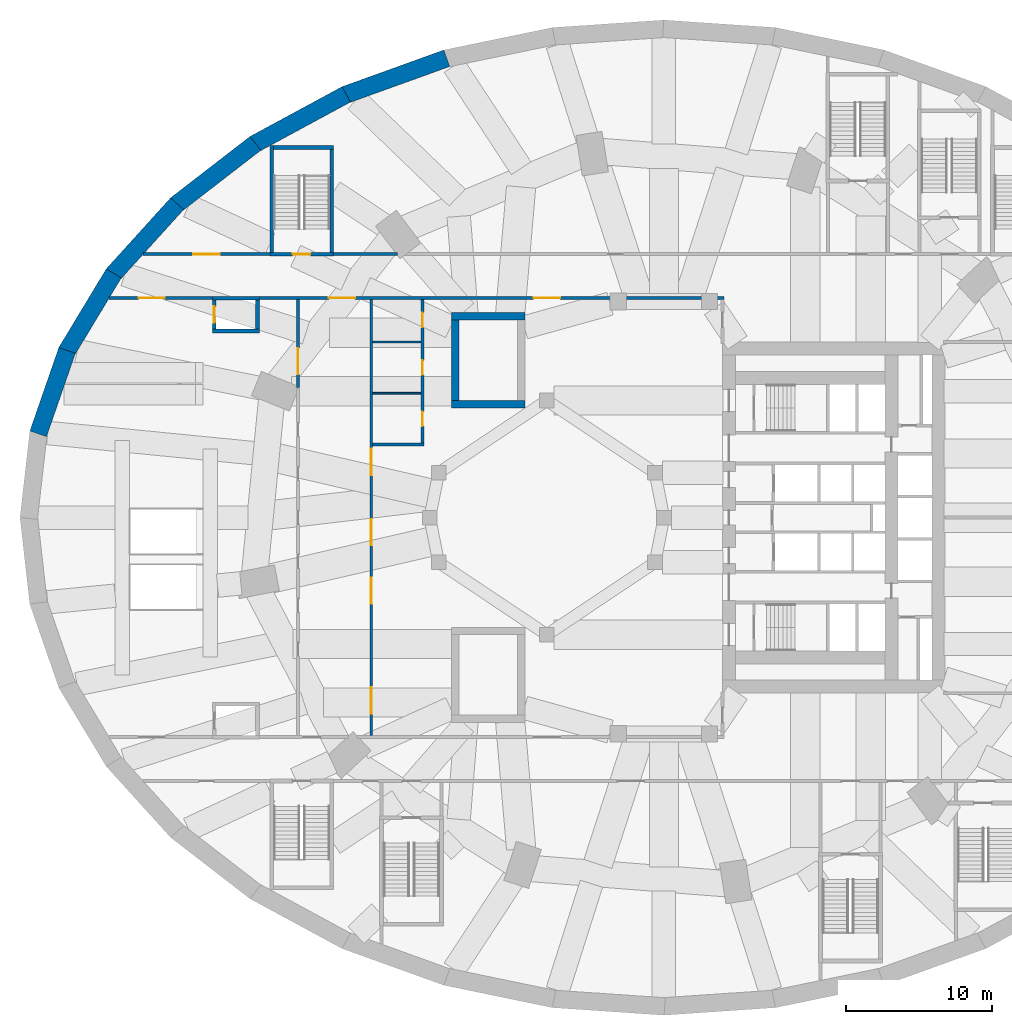
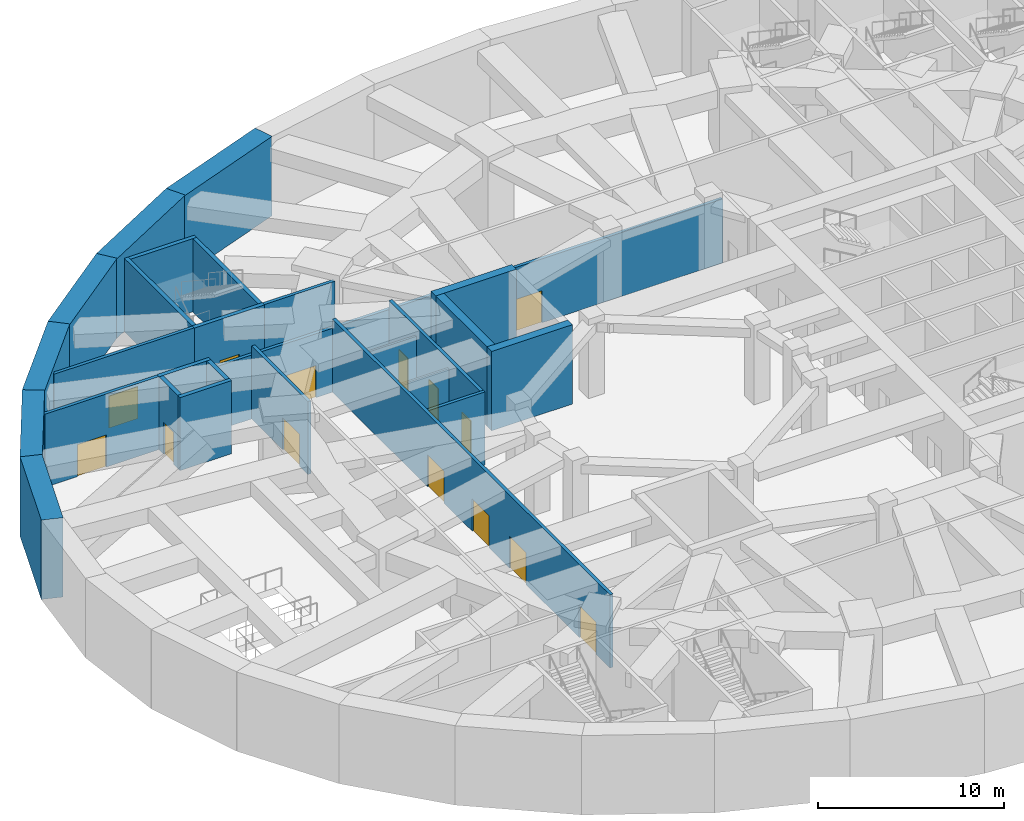
# One storey, part 6 of 14: 27 walls, 14 doors, 14 openings.
"""IFC4 building model written with IfcOpenShell, lengths in metres."""

from ifc_helpers import new_model, si_unit, direction, frame, frame_2d, origin, place, context, subcontext, project, spatial, rectangle, extrude, material, layer, layer_set, type_object, element, fill, save


model = new_model("IFC4")

# Units and contexts
model_context = context("Model", 3, precision=1e-05, world=origin(), true_north=direction((0.0, 1.0)))
body_context = subcontext(model_context, "Body", "Model", "MODEL_VIEW")
ifc_project = project(units=[si_unit("LENGTHUNIT", "METRE"), si_unit("AREAUNIT", "SQUARE_METRE"), si_unit("VOLUMEUNIT", "CUBIC_METRE"), si_unit("PLANEANGLEUNIT", "RADIAN"), si_unit("MASSUNIT", "GRAM", prefix="KILO")], contexts=[model_context])

# Site, building, storey
site_placement = place(None, origin())
site = spatial("IfcSite", under=ifc_project, at=site_placement, CompositionType="ELEMENT")
building_placement = place(site_placement, origin())
building = spatial("IfcBuilding", under=site, at=building_placement, Name="Taillehof Tower", CompositionType="ELEMENT")
storey_placement = place(building_placement, frame((0.0, 0.0, -5.199951171875)))
storey = spatial("IfcBuildingStorey", under=building, at=storey_placement, Name="B1", CompositionType="ELEMENT", Elevation=-5.199951171875)

# Wall
ifc_material_1 = material(Name="Calcium silicate blockwork", Category="masonry")
ifc_layer_1 = layer(ifc_material_1, 0.199951171875)
ifc_layer_set_1 = layer_set([ifc_layer_1], Name="Compartment wall EI 60 200 mm")
wall_type_1 = type_object("IfcWallType", Name="Compartment wall EI 60 200 mm", PredefinedType="PARTITIONING", material=ifc_layer_set_1)
wall_1_placement = place(storey_placement, frame((-19.89990234375, 5.0, 0.0), z_axis=(0.0, 0.0, 1.0), x_axis=(1.0, 0.0, 0.0)))
element("IfcWall", 1, at=wall_1_placement, inside=storey, type_object=wall_type_1, Name="Wall B1-13 / B1-16", PredefinedType="PARTITIONING", context=body_context, shape_type="SweptSolid", body=[
    extrude(rectangle(XDim=3.5, YDim=0.199951171875, at=frame_2d((1.75, 0.0))), origin(), (0.0, 0.0, 1.0), 4.7900390625),
])

# Wall, opening, door
wall_2_placement = place(storey_placement, frame((-37.914794921875, 15.0, 0.0), z_axis=(0.0, 0.0, 1.0), x_axis=(1.0, 0.0, 0.0)))
wall_2 = element("IfcWall", 2, at=wall_2_placement, inside=storey, type_object=wall_type_1, Name="Wall B1-15 / B1-17", PredefinedType="PARTITIONING", context=body_context, shape_type="SweptSolid", body=[
    extrude(rectangle(XDim=7.064697265625, YDim=0.199951171875, at=frame_2d((3.5322265625, 0.0))), origin(), (0.0, 0.0, 1.0), 4.7900390625),
])
opening_1_placement = place(wall_2_placement, frame((2.0146484375, 0.0, 0.0)))
opening_1 = element("IfcOpeningElement", 3, at=opening_1_placement, cuts=wall_2, Name="Opening DB176", PredefinedType="OPENING", context=body_context, shape_type="SweptSolid", body=[
    extrude(rectangle(XDim=1.800048828125, YDim=2.10009765625, at=frame_2d((0.89990234375, 1.050048828125))), frame((0.0, 0.10986328125, 0.0), z_axis=(0.0, -1.0, 0.0), x_axis=(1.0, 0.0, 0.0)), (0.0, 0.0, 1.0), 0.219970703125),
])
ifc_material_2 = material(Name="Hollow metal door set")
door_type_1 = type_object("IfcDoorType", Name="Double door 1800 x 2100 FD60S", OperationType="DOUBLE_DOOR_SINGLE_SWING", PredefinedType="DOOR", material=ifc_material_2)
door_1_placement = place(opening_1_placement, origin())
door_1 = element("IfcDoor", 4, at=door_1_placement, inside=storey, type_object=door_type_1, Name="Door DB176", OperationType="DOUBLE_DOOR_SINGLE_SWING", OverallHeight=2.10009765625, OverallWidth=1.800048828125, PredefinedType="DOOR", context=body_context, shape_type="SweptSolid", body=[
    extrude(rectangle(XDim=1.800048828125, YDim=2.10009765625, at=frame_2d((0.89990234375, 1.050048828125))), frame((0.0, 0.02490234375, 0.0), z_axis=(0.0, -1.0, 0.0), x_axis=(1.0, 0.0, 0.0)), (0.0, 0.0, 1.0), 0.050048828125),
])
fill(opening_1, door_1)

# Wall, openings, doors
wall_3_placement = place(storey_placement, frame((-27.64990234375, 15.0, 0.0), z_axis=(0.0, 0.0, 1.0), x_axis=(1.0, 0.0, 0.0)))
wall_3 = element("IfcWall", 5, at=wall_3_placement, inside=storey, type_object=wall_type_1, Name="Wall B1-15 / B1-17", PredefinedType="PARTITIONING", context=body_context, shape_type="SweptSolid", body=[
    extrude(rectangle(XDim=31.75, YDim=0.199951171875, at=frame_2d((15.875, 0.0))), origin(), (0.0, 0.0, 1.0), 4.18994140625),
])
opening_2_placement = place(wall_3_placement, frame((4.75, 0.0, 0.0)))
opening_2 = element("IfcOpeningElement", 6, at=opening_2_placement, cuts=wall_3, Name="Opening DB177", PredefinedType="OPENING", context=body_context, shape_type="SweptSolid", body=[
    extrude(rectangle(XDim=1.800048828125, YDim=2.10009765625, at=frame_2d((0.89990234375, 1.050048828125))), frame((0.0, 0.10986328125, 0.0), z_axis=(0.0, -1.0, 0.0), x_axis=(1.0, 0.0, 0.0)), (0.0, 0.0, 1.0), 0.219970703125),
])
opening_3_placement = place(wall_3_placement, frame((18.75, 0.0, 0.0)))
opening_3 = element("IfcOpeningElement", 7, at=opening_3_placement, cuts=wall_3, Name="Opening DB178", PredefinedType="OPENING", context=body_context, shape_type="SweptSolid", body=[
    extrude(rectangle(XDim=1.800048828125, YDim=2.10009765625, at=frame_2d((0.89990234375, 1.050048828125))), frame((0.0, 0.10986328125, 0.0), z_axis=(0.0, -1.0, 0.0), x_axis=(1.0, 0.0, 0.0)), (0.0, 0.0, 1.0), 0.219970703125),
])
door_2_placement = place(opening_2_placement, origin())
door_2 = element("IfcDoor", 8, at=door_2_placement, inside=storey, type_object=door_type_1, Name="Door DB177", OperationType="DOUBLE_DOOR_SINGLE_SWING", OverallHeight=2.10009765625, OverallWidth=1.800048828125, PredefinedType="DOOR", context=body_context, shape_type="SweptSolid", body=[
    extrude(rectangle(XDim=1.800048828125, YDim=2.10009765625, at=frame_2d((0.89990234375, 1.050048828125))), frame((0.0, 0.02490234375, 0.0), z_axis=(0.0, -1.0, 0.0), x_axis=(1.0, 0.0, 0.0)), (0.0, 0.0, 1.0), 0.050048828125),
])
fill(opening_2, door_2)
door_3_placement = place(opening_3_placement, origin())
door_3 = element("IfcDoor", 9, at=door_3_placement, inside=storey, type_object=door_type_1, Name="Door DB178", OperationType="DOUBLE_DOOR_SINGLE_SWING", OverallHeight=2.10009765625, OverallWidth=1.800048828125, PredefinedType="DOOR", context=body_context, shape_type="SweptSolid", body=[
    extrude(rectangle(XDim=1.800048828125, YDim=2.10009765625, at=frame_2d((0.89990234375, 1.050048828125))), frame((0.0, 0.02490234375, 0.0), z_axis=(0.0, -1.0, 0.0), x_axis=(1.0, 0.0, 0.0)), (0.0, 0.0, 1.0), 0.050048828125),
])
fill(opening_3, door_3)

# Wall, opening, door
wall_4_placement = place(storey_placement, frame((-35.60546875, 18.0, 0.0), z_axis=(0.0, 0.0, 1.0), x_axis=(1.0, 0.0, 0.0)))
wall_4 = element("IfcWall", 10, at=wall_4_placement, inside=storey, type_object=wall_type_1, Name="Wall B1-17 / B1-19", PredefinedType="PARTITIONING", context=body_context, shape_type="SweptSolid", body=[
    extrude(rectangle(XDim=8.680419921875, YDim=0.199951171875, at=frame_2d((4.34033203125, 0.0))), origin(), (0.0, 0.0, 1.0), 4.7900390625),
])
opening_4_placement = place(wall_4_placement, frame((3.4404296875, 0.0, 0.0)))
opening_4 = element("IfcOpeningElement", 11, at=opening_4_placement, cuts=wall_4, Name="Opening DB179", PredefinedType="OPENING", context=body_context, shape_type="SweptSolid", body=[
    extrude(rectangle(XDim=1.800048828125, YDim=2.10009765625, at=frame_2d((0.89990234375, 1.050048828125))), frame((0.0, 0.10986328125, 0.0), z_axis=(0.0, -1.0, 0.0), x_axis=(1.0, 0.0, 0.0)), (0.0, 0.0, 1.0), 0.219970703125),
])
door_4_placement = place(opening_4_placement, origin())
door_4 = element("IfcDoor", 12, at=door_4_placement, inside=storey, type_object=door_type_1, Name="Door DB179", OperationType="DOUBLE_DOOR_SINGLE_SWING", OverallHeight=2.10009765625, OverallWidth=1.800048828125, PredefinedType="DOOR", context=body_context, shape_type="SweptSolid", body=[
    extrude(rectangle(XDim=1.800048828125, YDim=2.10009765625, at=frame_2d((0.89990234375, 1.050048828125))), frame((0.0, 0.02490234375, 0.0), z_axis=(0.0, -1.0, 0.0), x_axis=(1.0, 0.0, 0.0)), (0.0, 0.0, 1.0), 0.050048828125),
])
fill(opening_4, door_4)

# Wall
wall_5_placement = place(storey_placement, frame((-22.574951171875, 18.0, 0.0), z_axis=(0.0, 0.0, 1.0), x_axis=(1.0, 0.0, 0.0)))
element("IfcWall", 13, at=wall_5_placement, inside=storey, type_object=wall_type_1, Name="Wall B1-17 / B1-20", PredefinedType="PARTITIONING", context=body_context, shape_type="SweptSolid", body=[
    extrude(rectangle(XDim=4.377685546875, YDim=0.199951171875, at=frame_2d((2.18896484375, 0.0))), origin(), (0.0, 0.0, 1.0), 4.7900390625),
])

# Wall, opening, door
wall_6_placement = place(storey_placement, frame((-25.0, 8.879638671875, 0.0), z_axis=(0.0, 0.0, 1.0), x_axis=(0.0, 1.0, 0.0)))
wall_6 = element("IfcWall", 14, at=wall_6_placement, inside=storey, type_object=wall_type_1, Name="Wall B1-14 / B1-15", PredefinedType="PARTITIONING", context=body_context, shape_type="SweptSolid", body=[
    extrude(rectangle(XDim=6.020263671875, YDim=0.199951171875, at=frame_2d((3.01025390625, 0.0))), origin(), (0.0, 0.0, 1.0), 4.7900390625),
])
opening_5_placement = place(wall_6_placement, frame((0.900390625, 0.0, 0.0)))
opening_5 = element("IfcOpeningElement", 15, at=opening_5_placement, cuts=wall_6, Name="Opening DB171", PredefinedType="OPENING", context=body_context, shape_type="SweptSolid", body=[
    extrude(rectangle(XDim=1.800048828125, YDim=2.10009765625, at=frame_2d((0.89990234375, 1.050048828125))), frame((0.0, 0.10986328125, 0.0), z_axis=(0.0, -1.0, 0.0), x_axis=(1.0, 0.0, 0.0)), (0.0, 0.0, 1.0), 0.219970703125),
])
door_5_placement = place(opening_5_placement, origin())
door_5 = element("IfcDoor", 16, at=door_5_placement, inside=storey, type_object=door_type_1, Name="Door DB171", OperationType="DOUBLE_DOOR_SINGLE_SWING", OverallHeight=2.10009765625, OverallWidth=1.800048828125, PredefinedType="DOOR", context=body_context, shape_type="SweptSolid", body=[
    extrude(rectangle(XDim=1.800048828125, YDim=2.10009765625, at=frame_2d((0.89990234375, 1.050048828125))), frame((0.0, 0.02490234375, 0.0), z_axis=(0.0, -1.0, 0.0), x_axis=(1.0, 0.0, 0.0)), (0.0, 0.0, 1.0), 0.050048828125),
])
fill(opening_5, door_5)

# Wall, openings, doors
wall_7_placement = place(storey_placement, frame((-20.0, -14.89990234375, 0.0), z_axis=(0.0, 0.0, 1.0), x_axis=(0.0, 1.0, 0.0)))
wall_7 = element("IfcWall", 17, at=wall_7_placement, inside=storey, type_object=wall_type_1, Name="Wall B1-14 / B1-16", PredefinedType="PARTITIONING", context=body_context, shape_type="SweptSolid", body=[
    extrude(rectangle(XDim=29.7998046875, YDim=0.199951171875, at=frame_2d((14.89990234375, 0.0))), origin(), (0.0, 0.0, 1.0), 4.7900390625),
])
opening_6_placement = place(wall_7_placement, frame((1.5, 0.0, 0.0)))
opening_6 = element("IfcOpeningElement", 18, at=opening_6_placement, cuts=wall_7, Name="Opening DB158", PredefinedType="OPENING", context=body_context, shape_type="SweptSolid", body=[
    extrude(rectangle(XDim=1.800048828125, YDim=2.10009765625, at=frame_2d((0.89990234375, 1.050048828125))), frame((0.0, 0.10986328125, 0.0), z_axis=(0.0, -1.0, 0.0), x_axis=(1.0, 0.0, 0.0)), (0.0, 0.0, 1.0), 0.219970703125),
])
opening_7_placement = place(wall_7_placement, frame((9.0, 0.0, 0.0)))
opening_7 = element("IfcOpeningElement", 19, at=opening_7_placement, cuts=wall_7, Name="Opening DB162", PredefinedType="OPENING", context=body_context, shape_type="SweptSolid", body=[
    extrude(rectangle(XDim=1.800048828125, YDim=2.10009765625, at=frame_2d((0.89990234375, 1.050048828125))), frame((0.0, 0.10986328125, 0.0), z_axis=(0.0, -1.0, 0.0), x_axis=(1.0, 0.0, 0.0)), (0.0, 0.0, 1.0), 0.219970703125),
])
opening_8_placement = place(wall_7_placement, frame((13.0, 0.0, 0.0)))
opening_8 = element("IfcOpeningElement", 20, at=opening_8_placement, cuts=wall_7, Name="Opening DB164", PredefinedType="OPENING", context=body_context, shape_type="SweptSolid", body=[
    extrude(rectangle(XDim=1.800048828125, YDim=2.10009765625, at=frame_2d((0.89990234375, 1.050048828125))), frame((0.0, 0.10986328125, 0.0), z_axis=(0.0, -1.0, 0.0), x_axis=(1.0, 0.0, 0.0)), (0.0, 0.0, 1.0), 0.219970703125),
])
opening_9_placement = place(wall_7_placement, frame((17.800048828125, 0.0, 0.0)))
opening_9 = element("IfcOpeningElement", 21, at=opening_9_placement, cuts=wall_7, Name="Opening DB167", PredefinedType="OPENING", context=body_context, shape_type="SweptSolid", body=[
    extrude(rectangle(XDim=1.800048828125, YDim=2.10009765625, at=frame_2d((0.89990234375, 1.050048828125))), frame((0.0, 0.10986328125, 0.0), z_axis=(0.0, -1.0, 0.0), x_axis=(1.0, 0.0, 0.0)), (0.0, 0.0, 1.0), 0.219970703125),
])
door_6_placement = place(opening_6_placement, origin())
door_6 = element("IfcDoor", 22, at=door_6_placement, inside=storey, type_object=door_type_1, Name="Door DB158", OperationType="DOUBLE_DOOR_SINGLE_SWING", OverallHeight=2.10009765625, OverallWidth=1.800048828125, PredefinedType="DOOR", context=body_context, shape_type="SweptSolid", body=[
    extrude(rectangle(XDim=1.800048828125, YDim=2.10009765625, at=frame_2d((0.89990234375, 1.050048828125))), frame((0.0, 0.02490234375, 0.0), z_axis=(0.0, -1.0, 0.0), x_axis=(1.0, 0.0, 0.0)), (0.0, 0.0, 1.0), 0.050048828125),
])
fill(opening_6, door_6)
door_7_placement = place(opening_7_placement, origin())
door_7 = element("IfcDoor", 23, at=door_7_placement, inside=storey, type_object=door_type_1, Name="Door DB162", OperationType="DOUBLE_DOOR_SINGLE_SWING", OverallHeight=2.10009765625, OverallWidth=1.800048828125, PredefinedType="DOOR", context=body_context, shape_type="SweptSolid", body=[
    extrude(rectangle(XDim=1.800048828125, YDim=2.10009765625, at=frame_2d((0.89990234375, 1.050048828125))), frame((0.0, 0.02490234375, 0.0), z_axis=(0.0, -1.0, 0.0), x_axis=(1.0, 0.0, 0.0)), (0.0, 0.0, 1.0), 0.050048828125),
])
fill(opening_7, door_7)
door_8_placement = place(opening_8_placement, origin())
door_8 = element("IfcDoor", 24, at=door_8_placement, inside=storey, type_object=door_type_1, Name="Door DB164", OperationType="DOUBLE_DOOR_SINGLE_SWING", OverallHeight=2.10009765625, OverallWidth=1.800048828125, PredefinedType="DOOR", context=body_context, shape_type="SweptSolid", body=[
    extrude(rectangle(XDim=1.800048828125, YDim=2.10009765625, at=frame_2d((0.89990234375, 1.050048828125))), frame((0.0, 0.02490234375, 0.0), z_axis=(0.0, -1.0, 0.0), x_axis=(1.0, 0.0, 0.0)), (0.0, 0.0, 1.0), 0.050048828125),
])
fill(opening_8, door_8)
door_9_placement = place(opening_9_placement, origin())
door_9 = element("IfcDoor", 25, at=door_9_placement, inside=storey, type_object=door_type_1, Name="Door DB167", OperationType="DOUBLE_DOOR_SINGLE_SWING", OverallHeight=2.10009765625, OverallWidth=1.800048828125, PredefinedType="DOOR", context=body_context, shape_type="SweptSolid", body=[
    extrude(rectangle(XDim=1.800048828125, YDim=2.10009765625, at=frame_2d((0.89990234375, 1.050048828125))), frame((0.0, 0.02490234375, 0.0), z_axis=(0.0, -1.0, 0.0), x_axis=(1.0, 0.0, 0.0)), (0.0, 0.0, 1.0), 0.050048828125),
])
fill(opening_9, door_9)

wall_8_placement = place(storey_placement, frame((-16.5, 5.10009765625, 0.0), z_axis=(0.0, 0.0, 1.0), x_axis=(0.0, 1.0, 0.0)))
wall_8 = element("IfcWall", 26, at=wall_8_placement, inside=storey, type_object=wall_type_1, Name="Wall B1-13 / B1-16", PredefinedType="PARTITIONING", context=body_context, shape_type="SweptSolid", body=[
    extrude(rectangle(XDim=9.7998046875, YDim=0.199951171875, at=frame_2d((4.89990234375, 0.0))), origin(), (0.0, 0.0, 1.0), 4.7900390625),
])
opening_10_placement = place(wall_8_placement, frame((7.89990234375, 0.0, 0.0)))
opening_10 = element("IfcOpeningElement", 27, at=opening_10_placement, cuts=wall_8, Name="Opening DB173", PredefinedType="OPENING", context=body_context, shape_type="SweptSolid", body=[
    extrude(rectangle(XDim=1.0, YDim=2.10009765625, at=frame_2d((0.5, 1.050048828125))), frame((0.0, 0.10986328125, 0.0), z_axis=(0.0, -1.0, 0.0), x_axis=(1.0, 0.0, 0.0)), (0.0, 0.0, 1.0), 0.219970703125),
])
opening_11_placement = place(wall_8_placement, frame((4.64990234375, 0.0, 0.0)))
opening_11 = element("IfcOpeningElement", 28, at=opening_11_placement, cuts=wall_8, Name="Opening DB170", PredefinedType="OPENING", context=body_context, shape_type="SweptSolid", body=[
    extrude(rectangle(XDim=1.0, YDim=2.10009765625, at=frame_2d((0.5, 1.050048828125))), frame((0.0, 0.10986328125, 0.0), z_axis=(0.0, -1.0, 0.0), x_axis=(1.0, 0.0, 0.0)), (0.0, 0.0, 1.0), 0.219970703125),
])
opening_12_placement = place(wall_8_placement, frame((1.14990234375, 0.0, 0.0)))
opening_12 = element("IfcOpeningElement", 29, at=opening_12_placement, cuts=wall_8, Name="Opening DB169", PredefinedType="OPENING", context=body_context, shape_type="SweptSolid", body=[
    extrude(rectangle(XDim=1.0, YDim=2.10009765625, at=frame_2d((0.5, 1.050048828125))), frame((0.0, 0.10986328125, 0.0), z_axis=(0.0, -1.0, 0.0), x_axis=(1.0, 0.0, 0.0)), (0.0, 0.0, 1.0), 0.219970703125),
])
ifc_material_3 = material(Name="Hollow metal door set")
door_type_2 = type_object("IfcDoorType", Name="Single door 1000 x 2100 FD60S", OperationType="SINGLE_SWING_LEFT", PredefinedType="DOOR", material=ifc_material_3)
door_10_placement = place(opening_10_placement, origin())
door_10 = element("IfcDoor", 30, at=door_10_placement, inside=storey, type_object=door_type_2, Name="Door DB173", OperationType="SINGLE_SWING_LEFT", OverallHeight=2.10009765625, OverallWidth=1.0, PredefinedType="DOOR", context=body_context, shape_type="SweptSolid", body=[
    extrude(rectangle(XDim=1.0, YDim=2.10009765625, at=frame_2d((0.5, 1.050048828125))), frame((0.0, 0.02490234375, 0.0), z_axis=(0.0, -1.0, 0.0), x_axis=(1.0, 0.0, 0.0)), (0.0, 0.0, 1.0), 0.050048828125),
])
fill(opening_10, door_10)
door_11_placement = place(opening_11_placement, origin())
door_11 = element("IfcDoor", 31, at=door_11_placement, inside=storey, type_object=door_type_2, Name="Door DB170", OperationType="SINGLE_SWING_LEFT", OverallHeight=2.10009765625, OverallWidth=1.0, PredefinedType="DOOR", context=body_context, shape_type="SweptSolid", body=[
    extrude(rectangle(XDim=1.0, YDim=2.10009765625, at=frame_2d((0.5, 1.050048828125))), frame((0.0, 0.02490234375, 0.0), z_axis=(0.0, -1.0, 0.0), x_axis=(1.0, 0.0, 0.0)), (0.0, 0.0, 1.0), 0.050048828125),
])
fill(opening_11, door_11)
door_12_placement = place(opening_12_placement, origin())
door_12 = element("IfcDoor", 32, at=door_12_placement, inside=storey, type_object=door_type_2, Name="Door DB169", OperationType="SINGLE_SWING_RIGHT", OverallHeight=2.10009765625, OverallWidth=1.0, PredefinedType="DOOR", context=body_context, shape_type="SweptSolid", body=[
    extrude(rectangle(XDim=1.0, YDim=2.10009765625, at=frame_2d((0.5, 1.050048828125))), frame((0.0, 0.02490234375, 0.0), z_axis=(0.0, -1.0, 0.0), x_axis=(1.0, 0.0, 0.0)), (0.0, 0.0, 1.0), 0.050048828125),
])
fill(opening_12, door_12)

# Walls
ifc_material_4 = material(Name="Concrete C35/45", Category="concrete")
ifc_layer_2 = layer(ifc_material_4, 1.199951171875)
ifc_layer_set_2 = layer_set([ifc_layer_2], Name="Diaphragm wall 1200")
wall_type_2 = type_object("IfcWallType", Name="Diaphragm wall 1200", PredefinedType="USERDEFINED", material=ifc_layer_set_2)
wall_9_placement = place(storey_placement, frame((-14.836181640625, 31.388427734375, 0.0), z_axis=(0.0, 0.0, 1.0), x_axis=(-0.940789454531, -0.338991448628, 0.0)))
element("IfcWall", 33, at=wall_9_placement, inside=storey, type_object=wall_type_2, Name="Diaphragm wall DW12", ObjectType="Retaining wall", PredefinedType="USERDEFINED", context=body_context, shape_type="SweptSolid", body=[
    extrude(rectangle(XDim=7.40576171875, YDim=1.199951171875, at=frame_2d((3.702880859375, 0.0))), origin(), (0.0, 0.0, 1.0), 5.199951171875),
])
wall_10_placement = place(storey_placement, frame((-21.7080078125, 28.920654296875, 0.0), z_axis=(0.0, 0.0, 1.0), x_axis=(-0.879519330959, -0.475863159394, 0.0)))
element("IfcWall", 34, at=wall_10_placement, inside=storey, type_object=wall_type_2, Name="Diaphragm wall DW13", ObjectType="Retaining wall", PredefinedType="USERDEFINED", context=body_context, shape_type="SweptSolid", body=[
    extrude(rectangle(XDim=7.154541015625, YDim=1.199951171875, at=frame_2d((3.5771484375, 0.0))), origin(), (0.0, 0.0, 1.0), 5.199951171875),
])
wall_11_placement = place(storey_placement, frame((-27.912841796875, 25.572998046875, 0.0), z_axis=(0.0, 0.0, 1.0), x_axis=(-0.791286567459, -0.611445474396, 0.0)))
element("IfcWall", 35, at=wall_11_placement, inside=storey, type_object=wall_type_2, Name="Diaphragm wall DW14", ObjectType="Retaining wall", PredefinedType="USERDEFINED", context=body_context, shape_type="SweptSolid", body=[
    extrude(rectangle(XDim=6.85693359375, YDim=1.199951171875, at=frame_2d((3.428466796875, 0.0))), origin(), (0.0, 0.0, 1.0), 5.199951171875),
])
wall_12_placement = place(storey_placement, frame((-33.26171875, 21.451416015625, 0.0), z_axis=(0.0, 0.0, 1.0), x_axis=(-0.671487423502, -0.741015951299, 0.0)))
element("IfcWall", 36, at=wall_12_placement, inside=storey, type_object=wall_type_2, Name="Diaphragm wall DW15", ObjectType="Retaining wall", PredefinedType="USERDEFINED", context=body_context, shape_type="SweptSolid", body=[
    extrude(rectangle(XDim=6.545166015625, YDim=1.199951171875, at=frame_2d((3.2724609375, 0.0))), origin(), (0.0, 0.0, 1.0), 5.199951171875),
])
wall_13_placement = place(storey_placement, frame((-37.59423828125, 16.68505859375, 0.0), z_axis=(0.0, 0.0, 1.0), x_axis=(-0.516691596258, -0.856171591655, 0.0)))
element("IfcWall", 37, at=wall_13_placement, inside=storey, type_object=wall_type_2, Name="Diaphragm wall DW16", ObjectType="Retaining wall", PredefinedType="USERDEFINED", context=body_context, shape_type="SweptSolid", body=[
    extrude(rectangle(XDim=6.25732421875, YDim=1.199951171875, at=frame_2d((3.128662109375, 0.0))), origin(), (0.0, 0.0, 1.0), 5.199951171875),
])
wall_14_placement = place(storey_placement, frame((-40.782958984375, 11.422119140625, 0.0), z_axis=(0.0, 0.0, 1.0), x_axis=(-0.327626042927, -0.944807480917, 0.0)))
element("IfcWall", 38, at=wall_14_placement, inside=storey, type_object=wall_type_2, Name="Diaphragm wall DW17", ObjectType="Retaining wall", PredefinedType="USERDEFINED", context=body_context, shape_type="SweptSolid", body=[
    extrude(rectangle(XDim=6.034423828125, YDim=1.199951171875, at=frame_2d((3.01708984375, 0.0))), origin(), (0.0, 0.0, 1.0), 5.199951171875),
])
ifc_material_5 = material(Name="Gypsum board partition on steel studs", Category="steel")
ifc_layer_3 = layer(ifc_material_5, 0.125)
ifc_layer_set_3 = layer_set([ifc_layer_3], Name="Partition wall EI 30 125 mm")
wall_type_3 = type_object("IfcWallType", Name="Partition wall EI 30 125 mm", PredefinedType="PARTITIONING", material=ifc_layer_set_3)
for number, where, z_axis, x_axis, name in (
    (39, (-19.89990234375, 8.5, 0.0), (0.0, 0.0, 1.0), (1.0, 0.0, 0.0), "Wall B1-12 / B1-13"),
    (40, (-19.89990234375, 12.0, 0.0), (0.0, 0.0, 1.0), (1.0, 0.0, 0.0), "Wall B1-11 / B1-12"),
):
    element("IfcWall", number, at=place(storey_placement, frame(where, z_axis=z_axis, x_axis=x_axis)), inside=storey, type_object=wall_type_3, Name=name, PredefinedType="PARTITIONING", context=body_context, shape_type="SweptSolid", body=[
        extrude(rectangle(XDim=3.2998046875, YDim=0.125, at=frame_2d((1.64990234375, 0.0))), origin(), (0.0, 0.0, 1.0), 4.239990234375),
    ])
ifc_material_6 = material(Name="Calcium silicate blockwork", Category="masonry")
ifc_layer_4 = layer(ifc_material_6, 0.25)
ifc_layer_set_4 = layer_set([ifc_layer_4], Name="Shaft wall EI 120 250 mm")
wall_type_4 = type_object("IfcWallType", Name="Shaft wall EI 120 250 mm", PredefinedType="SHEAR", material=ifc_layer_set_4)
for number, where, z_axis, x_axis, name in (
    (41, (-30.85009765625, 12.75, 0.0), (0.0, 0.0, 1.0), (1.0, 0.0, 0.0), "Wall B1-09 / B1-15"),
    (42, (-30.85009765625, 15.0, 0.0), (0.0, 0.0, 1.0), (1.0, 0.0, 0.0), "Wall B1-09 / B1-17"),
):
    element("IfcWall", number, at=place(storey_placement, frame(where, z_axis=z_axis, x_axis=x_axis)), inside=storey, type_object=wall_type_4, Name=name, PredefinedType="SHEAR", context=body_context, shape_type="SweptSolid", body=[
        extrude(rectangle(XDim=3.2001953125, YDim=0.25, at=frame_2d((1.60009765625, 0.0))), origin(), (0.0, 0.0, 1.0), 4.7900390625),
    ])

# Wall, opening, door
wall_15_placement = place(storey_placement, frame((-30.72509765625, 12.875, 0.0), z_axis=(0.0, 0.0, 1.0), x_axis=(0.0, 1.0, 0.0)))
wall_15 = element("IfcWall", 43, at=wall_15_placement, inside=storey, type_object=wall_type_4, Name="Wall B1-09 / B1-15", PredefinedType="SHEAR", context=body_context, shape_type="SweptSolid", body=[
    extrude(rectangle(XDim=2.0, YDim=0.25, at=frame_2d((1.0, 0.0))), origin(), (0.0, 0.0, 1.0), 4.7900390625),
])
opening_13_placement = place(wall_15_placement, frame((0.449951171875, 0.0, 0.0)))
opening_13 = element("IfcOpeningElement", 44, at=opening_13_placement, cuts=wall_15, Name="Opening LD4", PredefinedType="OPENING", context=body_context, shape_type="SweptSolid", body=[
    extrude(rectangle(XDim=1.10009765625, YDim=2.10009765625, at=frame_2d((0.550048828125, 1.050048828125))), frame((0.0, 0.135009765625, 0.0), z_axis=(0.0, -1.0, 0.0), x_axis=(1.0, 0.0, 0.0)), (0.0, 0.0, 1.0), 0.27001953125),
])
ifc_material_7 = material(Name="Brushed stainless lift door")
door_type_3 = type_object("IfcDoorType", Name="Lift landing door 1100 x 2100", OperationType="SLIDING_TO_LEFT", PredefinedType="DOOR", material=ifc_material_7)
door_13_placement = place(opening_13_placement, origin())
door_13 = element("IfcDoor", 45, at=door_13_placement, inside=storey, type_object=door_type_3, Name="Landing door DB175", OperationType="SLIDING_TO_LEFT", OverallHeight=2.10009765625, OverallWidth=1.10009765625, PredefinedType="DOOR", context=body_context, shape_type="SweptSolid", body=[
    extrude(rectangle(XDim=1.10009765625, YDim=2.10009765625, at=frame_2d((0.550048828125, 1.050048828125))), frame((0.0, 0.02490234375, 0.0), z_axis=(0.0, -1.0, 0.0), x_axis=(1.0, 0.0, 0.0)), (0.0, 0.0, 1.0), 0.050048828125),
])
fill(opening_13, door_13)

# Walls
wall_16_placement = place(storey_placement, frame((-27.77490234375, 12.875, 0.0), z_axis=(0.0, 0.0, 1.0), x_axis=(0.0, 1.0, 0.0)))
element("IfcWall", 46, at=wall_16_placement, inside=storey, type_object=wall_type_4, Name="Wall B1-09 / B1-15", PredefinedType="SHEAR", context=body_context, shape_type="SweptSolid", body=[
    extrude(rectangle(XDim=2.0, YDim=0.25, at=frame_2d((1.0, 0.0))), origin(), (0.0, 0.0, 1.0), 4.7900390625),
])
ifc_material_8 = material(Name="Concrete C60/75", Category="concrete")
ifc_layer_5 = layer(ifc_material_8, 0.5)
ifc_layer_set_5 = layer_set([ifc_layer_5], Name="Stair enclosure base wall 500")
wall_type_5 = type_object("IfcWallType", Name="Stair enclosure base wall 500", PredefinedType="SHEAR", material=ifc_layer_set_5)
for number, where, z_axis, x_axis, name in (
    (47, (-14.5, 7.75, 0.0), (0.0, 0.0, 1.0), (1.0, 0.0, 0.0), "Enclosure base wall S3-1"),
    (48, (-9.5, 13.75, 0.0), (0.0, 0.0, 1.0), (-1.0, 0.0, 0.0), "Enclosure base wall S3-3"),
):
    element("IfcWall", number, at=place(storey_placement, frame(where, z_axis=z_axis, x_axis=x_axis)), inside=storey, type_object=wall_type_5, Name=name, PredefinedType="SHEAR", context=body_context, shape_type="SweptSolid", body=[
        extrude(rectangle(XDim=5.0, YDim=0.5, at=frame_2d((2.5, 0.0))), origin(), (0.0, 0.0, 1.0), 5.199951171875),
    ])
wall_17_placement = place(storey_placement, frame((-14.25, 14.0, 0.0), z_axis=(0.0, 0.0, 1.0), x_axis=(0.0, -1.0, 0.0)))
element("IfcWall", 49, at=wall_17_placement, inside=storey, type_object=wall_type_5, Name="Enclosure base wall S3-4", PredefinedType="SHEAR", context=body_context, shape_type="SweptSolid", body=[
    extrude(rectangle(XDim=6.5, YDim=0.5, at=frame_2d((3.25, 0.0))), origin(), (0.0, 0.0, 1.0), 5.199951171875),
])

# Wall, opening, door
ifc_material_9 = material(Name="Concrete C40/50", Category="concrete")
ifc_layer_6 = layer(ifc_material_9, 0.25)
ifc_layer_set_6 = layer_set([ifc_layer_6], Name="Stair wall EI 120 250 mm")
wall_type_6 = type_object("IfcWallType", Name="Stair wall EI 120 250 mm", PredefinedType="SOLIDWALL", material=ifc_layer_set_6)
wall_18_placement = place(storey_placement, frame((-26.925048828125, 18.0, 0.0), z_axis=(0.0, 0.0, 1.0), x_axis=(1.0, 0.0, 0.0)))
wall_18 = element("IfcWall", 50, at=wall_18_placement, inside=storey, type_object=wall_type_6, Name="Wall B1-01 / B1-17", PredefinedType="SOLIDWALL", context=body_context, shape_type="SweptSolid", body=[
    extrude(rectangle(XDim=4.35009765625, YDim=0.25, at=frame_2d((2.175048828125, 0.0))), origin(), (0.0, 0.0, 1.0), 4.7900390625),
])
opening_14_placement = place(wall_18_placement, frame((1.574951171875, 0.0, 0.0)))
opening_14 = element("IfcOpeningElement", 51, at=opening_14_placement, cuts=wall_18, Name="Opening DB180", PredefinedType="OPENING", context=body_context, shape_type="SweptSolid", body=[
    extrude(rectangle(XDim=1.199951171875, YDim=2.10009765625, at=frame_2d((0.60009765625, 1.050048828125))), frame((0.0, 0.135009765625, 0.0), z_axis=(0.0, -1.0, 0.0), x_axis=(1.0, 0.0, 0.0)), (0.0, 0.0, 1.0), 0.27001953125),
])
ifc_material_10 = material(Name="Hollow metal door set")
door_type_4 = type_object("IfcDoorType", Name="Single door 1200 x 2100 FD120S", OperationType="SINGLE_SWING_LEFT", PredefinedType="DOOR", material=ifc_material_10)
door_14_placement = place(opening_14_placement, origin())
door_14 = element("IfcDoor", 52, at=door_14_placement, inside=storey, type_object=door_type_4, Name="Door DB180", OperationType="SINGLE_SWING_LEFT", OverallHeight=2.10009765625, OverallWidth=1.199951171875, PredefinedType="DOOR", context=body_context, shape_type="SweptSolid", body=[
    extrude(rectangle(XDim=1.199951171875, YDim=2.10009765625, at=frame_2d((0.60009765625, 1.050048828125))), frame((0.0, 0.02490234375, 0.0), z_axis=(0.0, -1.0, 0.0), x_axis=(1.0, 0.0, 0.0)), (0.0, 0.0, 1.0), 0.050048828125),
])
fill(opening_14, door_14)

# Walls
wall_19_placement = place(storey_placement, frame((-26.675048828125, 25.2900390625, 0.0), z_axis=(0.0, 0.0, 1.0), x_axis=(1.0, 0.0, 0.0)))
element("IfcWall", 53, at=wall_19_placement, inside=storey, type_object=wall_type_6, Name="Wall B1-01 / B1-20", PredefinedType="SOLIDWALL", context=body_context, shape_type="SweptSolid", body=[
    extrude(rectangle(XDim=4.10009765625, YDim=0.25, at=frame_2d((2.050048828125, 0.0))), origin(), (0.0, 0.0, 1.0), 4.7900390625),
])
wall_20_placement = place(storey_placement, frame((-26.800048828125, 18.125, 0.0), z_axis=(0.0, 0.0, 1.0), x_axis=(0.0, 1.0, 0.0)))
element("IfcWall", 54, at=wall_20_placement, inside=storey, type_object=wall_type_6, Name="Wall B1-01 / B1-19", PredefinedType="SOLIDWALL", context=body_context, shape_type="SweptSolid", body=[
    extrude(rectangle(XDim=7.2900390625, YDim=0.25, at=frame_2d((3.64501953125, 0.0))), origin(), (0.0, 0.0, 1.0), 4.7900390625),
])
wall_21_placement = place(storey_placement, frame((-22.699951171875, 18.125, 0.0), z_axis=(0.0, 0.0, 1.0), x_axis=(0.0, 1.0, 0.0)))
element("IfcWall", 55, at=wall_21_placement, inside=storey, type_object=wall_type_6, Name="Wall B1-01 / B1-20", PredefinedType="SOLIDWALL", context=body_context, shape_type="SweptSolid", body=[
    extrude(rectangle(XDim=7.0400390625, YDim=0.25, at=frame_2d((3.52001953125, 0.0))), origin(), (0.0, 0.0, 1.0), 4.7900390625),
])

save(model, "model.ifc")
